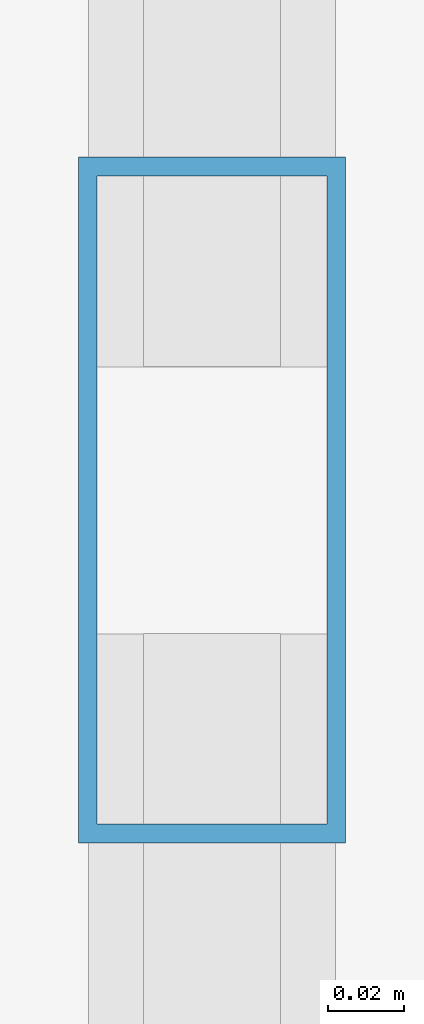
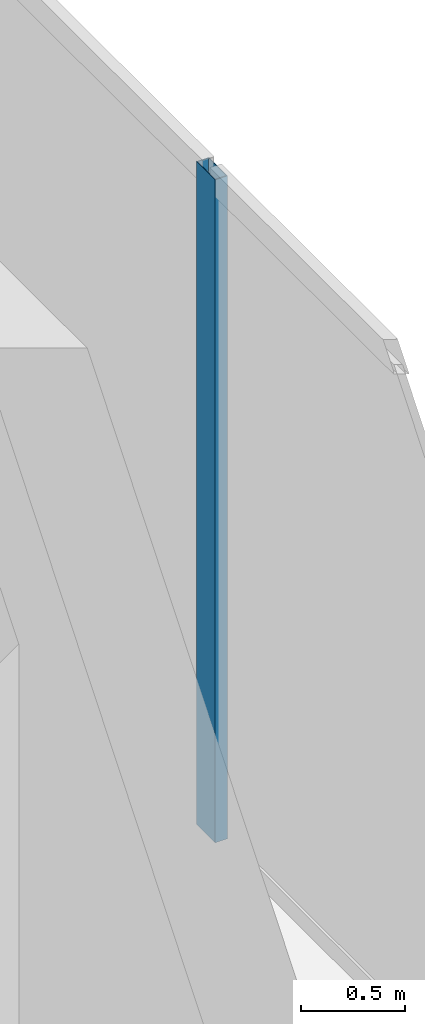
# One storey, part 16 of 32: 1 member, 1 element without a shape of its own.
"""IFC4 building model written with IfcOpenShell, lengths in metres."""

from ifc_helpers import new_model, si_unit, direction, frame, origin, origin_2d, place, context, subcontext, project, spatial, hollow_rectangle, extrude, source, transform, mapped, material, layer, layer_set, material_profile, profile_set, type_object, type_shapes, element, aggregate, save


model = new_model("IFC4")

# Units and contexts
model_context = context("Model", 3, precision=1e-05, world=origin(), true_north=direction((0.0, 1.0)))
body_context = subcontext(model_context, "Body", "Model", "MODEL_VIEW")
ifc_project = project(units=[si_unit("LENGTHUNIT", "METRE"), si_unit("AREAUNIT", "SQUARE_METRE"), si_unit("VOLUMEUNIT", "CUBIC_METRE"), si_unit("PLANEANGLEUNIT", "RADIAN"), si_unit("MASSUNIT", "GRAM", prefix="KILO")], contexts=[model_context])

# Site, building, storey
site_placement = place(None, origin())
site = spatial("IfcSite", under=ifc_project, at=site_placement, CompositionType="ELEMENT")
building_placement = place(site_placement, origin())
building = spatial("IfcBuilding", under=site, at=building_placement, Name="Haelvirn Gate Laboratories", CompositionType="ELEMENT")
storey_placement = place(building_placement, frame((0.0, 0.0, 314.39990234375)))
storey = spatial("IfcBuildingStorey", under=building, at=storey_placement, Name="L75", CompositionType="ELEMENT", Elevation=314.39990234375)

# Curtain wall, member
ifc_material_1 = material(Name="Anodised bronze unitised aluminium & triple low-E glass", Category="aluminium")
ifc_layer = layer(ifc_material_1, 0.176025390625, Name="CW-SYS-4")
ifc_layer_set = layer_set([ifc_layer], Name="Anodised bronze unitised aluminium & triple low-E glass")
curtain_wall_type = type_object("IfcCurtainWallType", Name="CW-SYS-4", PredefinedType="NOTDEFINED", material=ifc_layer_set)
curtain_wall_placement = place(storey_placement, origin())
curtain_wall = element("IfcCurtainWall", 1, at=curtain_wall_placement, inside=storey, type_object=curtain_wall_type, Name="L75 Unitised Curtain Wall CW-L75-P0-E07", PredefinedType="NOTDEFINED")
ifc_material_2 = material(Name="Extruded aluminium 6063-T6 (anodised bronze)", Category="aluminium")
ifc_material_profile = material_profile(ifc_material_2, hollow_rectangle(XDim=0.070068359375, YDim=0.179931640625, WallThickness=0.0048828125, at=origin_2d()), Name="CWM-180x70x5")
ifc_profile_set = profile_set([ifc_material_profile], Name="Extruded aluminium 6063-T6 (anodised bronze)")
member_type = type_object("IfcMemberType", Name="CWM-T180", PredefinedType="MULLION", material=ifc_profile_set)
shared_shape = source(origin(), body_context, "Body", "SweptSolid", [
    extrude(hollow_rectangle(XDim=0.070068359375, YDim=0.179931640625, WallThickness=0.0048828125, at=origin_2d()), origin(), (0.0, 0.0, 1.0), 3.900146484375),
])
type_shapes(member_type, [shared_shape])
member_placement = place(storey_placement, frame((68.89990234375, 24.300048828125, 0.0), z_axis=(0.0, 0.0, 1.0), x_axis=(-1.0, 0.0, 0.0)))
member = element("IfcMember", 2, at=member_placement, type_object=member_type, Name="CW4 mullion 2", PredefinedType="MULLION", context=body_context, shape_type="MappedRepresentation", body=[
    mapped(shared_shape, transform((0.0, 0.0, 0.0), scale=1.0)),
])
aggregate(curtain_wall, [member])

save(model, "model.ifc")
